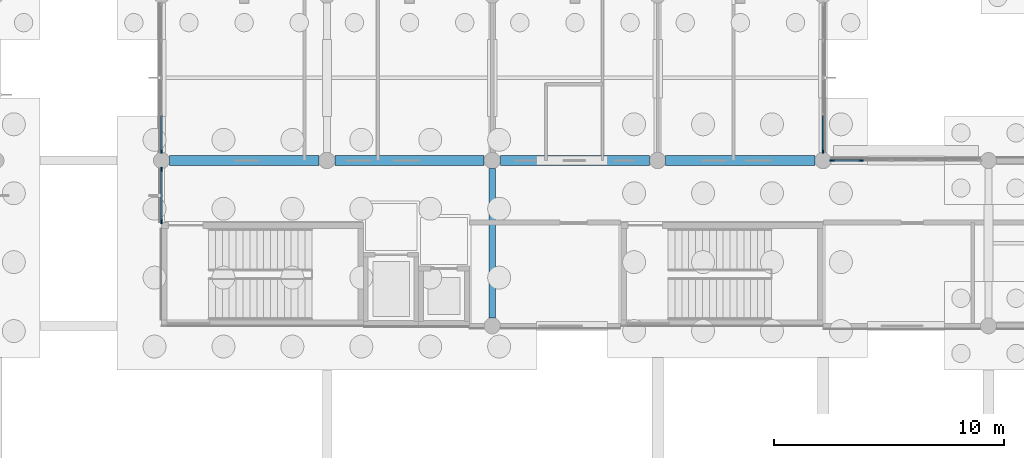
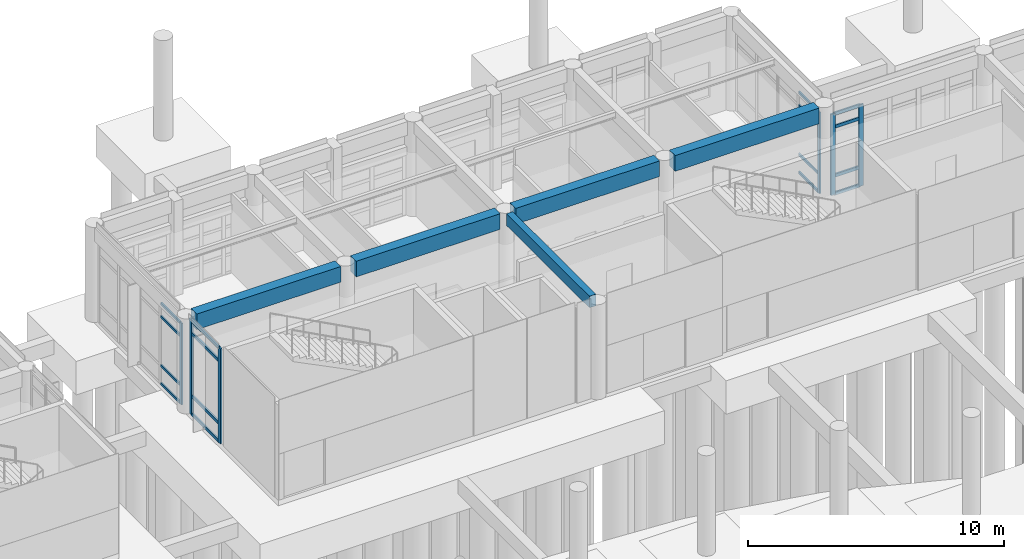
# One storey, part 31 of 103: 22 members, 5 beams, 4 elements without a shape of their own.
"""IFC4 building model written with IfcOpenShell, lengths in metres."""

from ifc_helpers import new_model, si_unit, direction, frame, origin, origin_2d, place, context, subcontext, project, spatial, rectangle, extrude, material, layer, layer_set, material_profile, profile_set, type_object, element, aggregate, save


model = new_model("IFC4")

# Units and contexts
model_context = context("Model", 3, precision=1e-05, world=origin(), true_north=direction((0.0, 1.0)))
body_context = subcontext(model_context, "Body", "Model", "MODEL_VIEW")
ifc_project = project(units=[si_unit("LENGTHUNIT", "METRE"), si_unit("AREAUNIT", "SQUARE_METRE"), si_unit("VOLUMEUNIT", "CUBIC_METRE"), si_unit("PLANEANGLEUNIT", "RADIAN"), si_unit("MASSUNIT", "GRAM", prefix="KILO")], contexts=[model_context])

# Site, building, storey
site_placement = place(None, origin())
site = spatial("IfcSite", under=ifc_project, at=site_placement, CompositionType="ELEMENT")
building_placement = place(site_placement, origin())
building = spatial("IfcBuilding", under=site, at=building_placement, Name="Namkhue Oval Health Centre", CompositionType="ELEMENT")
storey_placement = place(building_placement, origin())
storey = spatial("IfcBuildingStorey", under=building, at=storey_placement, Name="L00", CompositionType="ELEMENT", Elevation=0.0)

# Curtain wall, member
ifc_material_1 = material(Name="Anodised aluminium EN AW-6063 T6", Category="aluminium")
ifc_layer_1 = layer(ifc_material_1, 0.159912109375)
ifc_layer_set_1 = layer_set([ifc_layer_1], Name="Anodised aluminium EN AW-6063 T6")
curtain_wall_type_1 = type_object("IfcCurtainWallType", Name="UNITISED CURTAIN WALL M1500", PredefinedType="NOTDEFINED", material=ifc_layer_set_1)
curtain_wall_1_placement = place(storey_placement, origin())
curtain_wall_1 = element("IfcCurtainWall", 1, at=curtain_wall_1_placement, inside=storey, type_object=curtain_wall_type_1, Name="Volume V3 L00 Unitised Curtain Wall 93", PredefinedType="NOTDEFINED")
ifc_material_profile_1 = material_profile(ifc_material_1, rectangle(XDim=0.06494140625, YDim=0.159912109375, at=origin_2d()), Name="ALU 65x160")
ifc_profile_set_1 = profile_set([ifc_material_profile_1], Name="Anodised aluminium EN AW-6063 T6")
member_type_1 = type_object("IfcMemberType", Name="CURTAIN WALL MULLION 65X160", PredefinedType="MULLION", material=ifc_profile_set_1)
member_1_placement = place(storey_placement, frame((122.39990234375, 97.592529296875, 0.0), z_axis=(0.0, 0.0, 1.0), x_axis=(-1.0, 0.0, 0.0)))
member_1 = element("IfcMember", 2, at=member_1_placement, type_object=member_type_1, Name="CW-03 mullion 1", PredefinedType="MULLION", context=body_context, shape_type="SweptSolid", body=[
    extrude(rectangle(XDim=0.06494140625, YDim=0.159912109375, at=origin_2d()), origin(), (0.0, 0.0, 1.0), 3.885009765625),
])

curtain_wall_2_placement = place(storey_placement, origin())
curtain_wall_2 = element("IfcCurtainWall", 3, at=curtain_wall_2_placement, inside=storey, type_object=curtain_wall_type_1, Name="Volume V3 L00 Unitised Curtain Wall 99", PredefinedType="NOTDEFINED")
member_2_placement = place(storey_placement, frame((93.60009765625, 97.592529296875, 0.0), z_axis=(0.0, 0.0, 1.0), x_axis=(1.0, 0.0, 0.0)))
member_2 = element("IfcMember", 4, at=member_2_placement, type_object=member_type_1, Name="CW-03 mullion 5", PredefinedType="MULLION", context=body_context, shape_type="SweptSolid", body=[
    extrude(rectangle(XDim=0.06494140625, YDim=0.159912109375, at=origin_2d()), origin(), (0.0, 0.0, 1.0), 3.885009765625),
])

# Curtain wall, members
ifc_layer_2 = layer(ifc_material_1, 0.159912109375)
ifc_layer_set_2 = layer_set([ifc_layer_2], Name="Anodised aluminium EN AW-6063 T6")
curtain_wall_type_2 = type_object("IfcCurtainWallType", Name="UNITISED CURTAIN WALL M1350", PredefinedType="NOTDEFINED", material=ifc_layer_set_2)
curtain_wall_3_placement = place(storey_placement, origin())
curtain_wall_3 = element("IfcCurtainWall", 5, at=curtain_wall_3_placement, inside=storey, type_object=curtain_wall_type_2, Name="Volume V3 L00 Unitised Curtain Wall 92", PredefinedType="NOTDEFINED")
ifc_material_profile_2 = material_profile(ifc_material_1, rectangle(XDim=0.074951171875, YDim=0.199951171875, at=origin_2d()), Name="ALU 75x200")
ifc_profile_set_2 = profile_set([ifc_material_profile_2], Name="Anodised aluminium EN AW-6063 T6")
member_type_2 = type_object("IfcMemberType", Name="CURTAIN WALL MULLION 75X200", PredefinedType="MULLION", material=ifc_profile_set_2)
member_3_placement = place(storey_placement, frame((124.055908203125, 97.199951171875, 0.0), z_axis=(0.0, 0.0, 1.0), x_axis=(0.0, -1.0, 0.0)))
member_3 = element("IfcMember", 6, at=member_3_placement, type_object=member_type_2, Name="CW-02 mullion 5", PredefinedType="MULLION", context=body_context, shape_type="SweptSolid", body=[
    extrude(rectangle(XDim=0.074951171875, YDim=0.199951171875, at=origin_2d()), origin(), (0.0, 0.0, 1.0), 3.885009765625),
])
member_4_placement = place(storey_placement, frame((122.797607421875, 97.199951171875, 0.0), z_axis=(0.0, 0.0, 1.0), x_axis=(0.0, -1.0, 0.0)))
member_4 = element("IfcMember", 7, at=member_4_placement, type_object=member_type_2, Name="CW-02 mullion 6", PredefinedType="MULLION", context=body_context, shape_type="SweptSolid", body=[
    extrude(rectangle(XDim=0.074951171875, YDim=0.199951171875, at=origin_2d()), origin(), (0.0, 0.0, 1.0), 3.885009765625),
])

ifc_layer_3 = layer(ifc_material_1, 0.159912109375)
ifc_layer_set_3 = layer_set([ifc_layer_3], Name="Anodised aluminium EN AW-6063 T6")
curtain_wall_type_3 = type_object("IfcCurtainWallType", Name="UNITISED CURTAIN WALL M1600", PredefinedType="NOTDEFINED", material=ifc_layer_set_3)
curtain_wall_4_placement = place(storey_placement, origin())
curtain_wall_4 = element("IfcCurtainWall", 8, at=curtain_wall_4_placement, inside=storey, type_object=curtain_wall_type_3, Name="Volume V3 L00 Unitised Curtain Wall 100", PredefinedType="NOTDEFINED")
member_5_placement = place(storey_placement, frame((93.60009765625, 96.802490234375, 0.0), z_axis=(0.0, 0.0, 1.0), x_axis=(1.0, 0.0, 0.0)))
member_5 = element("IfcMember", 9, at=member_5_placement, type_object=member_type_2, Name="CW-04 mullion 1", PredefinedType="MULLION", context=body_context, shape_type="SweptSolid", body=[
    extrude(rectangle(XDim=0.074951171875, YDim=0.199951171875, at=origin_2d()), origin(), (0.0, 0.0, 1.0), 4.534912109375),
])
member_6_placement = place(storey_placement, frame((93.60009765625, 94.554443359375, 0.0), z_axis=(0.0, 0.0, 1.0), x_axis=(1.0, 0.0, 0.0)))
member_6 = element("IfcMember", 10, at=member_6_placement, type_object=member_type_2, Name="CW-04 mullion 2", PredefinedType="MULLION", context=body_context, shape_type="SweptSolid", body=[
    extrude(rectangle(XDim=0.074951171875, YDim=0.199951171875, at=origin_2d()), origin(), (0.0, 0.0, 1.0), 4.534912109375),
])

# Member
ifc_material_profile_3 = material_profile(ifc_material_1, rectangle(XDim=0.06494140625, YDim=0.1201171875, at=origin_2d()), Name="ALU 65x120")
ifc_profile_set_3 = profile_set([ifc_material_profile_3], Name="Anodised aluminium EN AW-6063 T6")
member_type_3 = type_object("IfcMemberType", Name="CURTAIN WALL TRANSOM 65X120", PredefinedType="USERDEFINED", material=ifc_profile_set_3)
member_7_placement = place(storey_placement, frame((122.39990234375, 97.625, 0.032470703125), z_axis=(0.0, 1.0, 0.0), x_axis=(-1.0, 0.0, 0.0)))
member_7 = element("IfcMember", 11, at=member_7_placement, type_object=member_type_3, Name="CW-03 transom 1.1", ObjectType="TRANSOM", PredefinedType="USERDEFINED", context=body_context, shape_type="SweptSolid", body=[
    extrude(rectangle(XDim=0.06494140625, YDim=0.1201171875, at=origin_2d()), origin(), (0.0, 0.0, 1.0), 1.5224609375),
])

member_8_placement = place(storey_placement, frame((122.39990234375, 97.625, 0.89990234375), z_axis=(0.0, 1.0, 0.0), x_axis=(-1.0, 0.0, 0.0)))
member_8 = element("IfcMember", 12, at=member_8_placement, type_object=member_type_3, Name="CW-03 transom 1.2", ObjectType="TRANSOM", PredefinedType="USERDEFINED", context=body_context, shape_type="SweptSolid", body=[
    extrude(rectangle(XDim=0.06494140625, YDim=0.1201171875, at=origin_2d()), origin(), (0.0, 0.0, 1.0), 1.5224609375),
])

member_9_placement = place(storey_placement, frame((122.39990234375, 97.625, 3.235107421875), z_axis=(0.0, 1.0, 0.0), x_axis=(-1.0, 0.0, 0.0)))
member_9 = element("IfcMember", 13, at=member_9_placement, type_object=member_type_3, Name="CW-03 transom 1.3", ObjectType="TRANSOM", PredefinedType="USERDEFINED", context=body_context, shape_type="SweptSolid", body=[
    extrude(rectangle(XDim=0.06494140625, YDim=0.1201171875, at=origin_2d()), origin(), (0.0, 0.0, 1.0), 1.5224609375),
])

member_10_placement = place(storey_placement, frame((122.39990234375, 97.625, 3.8525390625), z_axis=(0.0, 1.0, 0.0), x_axis=(-1.0, 0.0, 0.0)))
member_10 = element("IfcMember", 14, at=member_10_placement, type_object=member_type_3, Name="CW-03 transom 1.4", ObjectType="TRANSOM", PredefinedType="USERDEFINED", context=body_context, shape_type="SweptSolid", body=[
    extrude(rectangle(XDim=0.06494140625, YDim=0.1201171875, at=origin_2d()), origin(), (0.0, 0.0, 1.0), 1.5224609375),
])

aggregate(curtain_wall_1, [member_1, member_7, member_8, member_9, member_10])

member_11_placement = place(storey_placement, frame((93.60009765625, 99.1474609375, 0.032470703125), z_axis=(0.0, -1.0, 0.0), x_axis=(1.0, 0.0, 0.0)))
member_11 = element("IfcMember", 15, at=member_11_placement, type_object=member_type_3, Name="CW-03 transom 4.1", ObjectType="TRANSOM", PredefinedType="USERDEFINED", context=body_context, shape_type="SweptSolid", body=[
    extrude(rectangle(XDim=0.06494140625, YDim=0.1201171875, at=origin_2d()), origin(), (0.0, 0.0, 1.0), 1.5224609375),
])

member_12_placement = place(storey_placement, frame((93.60009765625, 99.1474609375, 0.89990234375), z_axis=(0.0, -1.0, 0.0), x_axis=(1.0, 0.0, 0.0)))
member_12 = element("IfcMember", 16, at=member_12_placement, type_object=member_type_3, Name="CW-03 transom 4.2", ObjectType="TRANSOM", PredefinedType="USERDEFINED", context=body_context, shape_type="SweptSolid", body=[
    extrude(rectangle(XDim=0.06494140625, YDim=0.1201171875, at=origin_2d()), origin(), (0.0, 0.0, 1.0), 1.5224609375),
])

member_13_placement = place(storey_placement, frame((93.60009765625, 99.1474609375, 3.235107421875), z_axis=(0.0, -1.0, 0.0), x_axis=(1.0, 0.0, 0.0)))
member_13 = element("IfcMember", 17, at=member_13_placement, type_object=member_type_3, Name="CW-03 transom 4.3", ObjectType="TRANSOM", PredefinedType="USERDEFINED", context=body_context, shape_type="SweptSolid", body=[
    extrude(rectangle(XDim=0.06494140625, YDim=0.1201171875, at=origin_2d()), origin(), (0.0, 0.0, 1.0), 1.5224609375),
])

member_14_placement = place(storey_placement, frame((93.60009765625, 99.1474609375, 3.8525390625), z_axis=(0.0, -1.0, 0.0), x_axis=(1.0, 0.0, 0.0)))
member_14 = element("IfcMember", 18, at=member_14_placement, type_object=member_type_3, Name="CW-03 transom 4.4", ObjectType="TRANSOM", PredefinedType="USERDEFINED", context=body_context, shape_type="SweptSolid", body=[
    extrude(rectangle(XDim=0.06494140625, YDim=0.1201171875, at=origin_2d()), origin(), (0.0, 0.0, 1.0), 1.5224609375),
])

aggregate(curtain_wall_2, [member_2, member_11, member_12, member_13, member_14])

ifc_material_profile_4 = material_profile(ifc_material_1, rectangle(XDim=0.074951171875, YDim=0.14990234375, at=origin_2d()), Name="ALU 75x150")
ifc_profile_set_4 = profile_set([ifc_material_profile_4], Name="Anodised aluminium EN AW-6063 T6")
member_type_4 = type_object("IfcMemberType", Name="CURTAIN WALL TRANSOM 75X150", PredefinedType="USERDEFINED", material=ifc_profile_set_4)
member_15_placement = place(storey_placement, frame((124.0185546875, 97.199951171875, 0.03759765625), z_axis=(-1.0, 0.0, 0.0), x_axis=(0.0, -1.0, 0.0)))
member_15 = element("IfcMember", 19, at=member_15_placement, type_object=member_type_4, Name="CW-02 transom 5.1", ObjectType="TRANSOM", PredefinedType="USERDEFINED", context=body_context, shape_type="SweptSolid", body=[
    extrude(rectangle(XDim=0.074951171875, YDim=0.14990234375, at=origin_2d()), origin(), (0.0, 0.0, 1.0), 1.18359375),
])

member_16_placement = place(storey_placement, frame((124.0185546875, 97.199951171875, 0.89990234375), z_axis=(-1.0, 0.0, 0.0), x_axis=(0.0, -1.0, 0.0)))
member_16 = element("IfcMember", 20, at=member_16_placement, type_object=member_type_4, Name="CW-02 transom 5.2", ObjectType="TRANSOM", PredefinedType="USERDEFINED", context=body_context, shape_type="SweptSolid", body=[
    extrude(rectangle(XDim=0.074951171875, YDim=0.14990234375, at=origin_2d()), origin(), (0.0, 0.0, 1.0), 1.18359375),
])

member_17_placement = place(storey_placement, frame((124.0185546875, 97.199951171875, 3.235107421875), z_axis=(-1.0, 0.0, 0.0), x_axis=(0.0, -1.0, 0.0)))
member_17 = element("IfcMember", 21, at=member_17_placement, type_object=member_type_4, Name="CW-02 transom 5.3", ObjectType="TRANSOM", PredefinedType="USERDEFINED", context=body_context, shape_type="SweptSolid", body=[
    extrude(rectangle(XDim=0.074951171875, YDim=0.14990234375, at=origin_2d()), origin(), (0.0, 0.0, 1.0), 1.18359375),
])

member_18_placement = place(storey_placement, frame((124.0185546875, 97.199951171875, 3.847412109375), z_axis=(-1.0, 0.0, 0.0), x_axis=(0.0, -1.0, 0.0)))
member_18 = element("IfcMember", 22, at=member_18_placement, type_object=member_type_4, Name="CW-02 transom 5.4", ObjectType="TRANSOM", PredefinedType="USERDEFINED", context=body_context, shape_type="SweptSolid", body=[
    extrude(rectangle(XDim=0.074951171875, YDim=0.14990234375, at=origin_2d()), origin(), (0.0, 0.0, 1.0), 1.18359375),
])

aggregate(curtain_wall_3, [member_3, member_4, member_15, member_16, member_17, member_18])

member_19_placement = place(storey_placement, frame((93.60009765625, 96.764892578125, 0.03759765625), z_axis=(0.0, -1.0, 0.0), x_axis=(1.0, 0.0, 0.0)))
member_19 = element("IfcMember", 23, at=member_19_placement, type_object=member_type_4, Name="CW-04 transom 1.1", ObjectType="TRANSOM", PredefinedType="USERDEFINED", context=body_context, shape_type="SweptSolid", body=[
    extrude(rectangle(XDim=0.074951171875, YDim=0.14990234375, at=origin_2d()), origin(), (0.0, 0.0, 1.0), 2.1728515625),
])

member_20_placement = place(storey_placement, frame((93.60009765625, 96.764892578125, 0.89990234375), z_axis=(0.0, -1.0, 0.0), x_axis=(1.0, 0.0, 0.0)))
member_20 = element("IfcMember", 24, at=member_20_placement, type_object=member_type_4, Name="CW-04 transom 1.2", ObjectType="TRANSOM", PredefinedType="USERDEFINED", context=body_context, shape_type="SweptSolid", body=[
    extrude(rectangle(XDim=0.074951171875, YDim=0.14990234375, at=origin_2d()), origin(), (0.0, 0.0, 1.0), 2.1728515625),
])

member_21_placement = place(storey_placement, frame((93.60009765625, 96.764892578125, 3.885009765625), z_axis=(0.0, -1.0, 0.0), x_axis=(1.0, 0.0, 0.0)))
member_21 = element("IfcMember", 25, at=member_21_placement, type_object=member_type_4, Name="CW-04 transom 1.3", ObjectType="TRANSOM", PredefinedType="USERDEFINED", context=body_context, shape_type="SweptSolid", body=[
    extrude(rectangle(XDim=0.074951171875, YDim=0.14990234375, at=origin_2d()), origin(), (0.0, 0.0, 1.0), 2.1728515625),
])

member_22_placement = place(storey_placement, frame((93.60009765625, 96.764892578125, 4.49755859375), z_axis=(0.0, -1.0, 0.0), x_axis=(1.0, 0.0, 0.0)))
member_22 = element("IfcMember", 26, at=member_22_placement, type_object=member_type_4, Name="CW-04 transom 1.4", ObjectType="TRANSOM", PredefinedType="USERDEFINED", context=body_context, shape_type="SweptSolid", body=[
    extrude(rectangle(XDim=0.074951171875, YDim=0.14990234375, at=origin_2d()), origin(), (0.0, 0.0, 1.0), 2.1728515625),
])

aggregate(curtain_wall_4, [member_5, member_6, member_19, member_20, member_21, member_22])

# Beams
ifc_material_2 = material(Name="Reinforced concrete C30/37 (TCVN B35)", Category="concrete")
ifc_material_profile_5 = material_profile(ifc_material_2, rectangle(XDim=0.300048828125, YDim=0.550048828125, at=origin_2d()), Name="RC 300x550")
ifc_profile_set_5 = profile_set([ifc_material_profile_5], Name="Reinforced concrete C30/37 (TCVN B35)")
beam_type_1 = type_object("IfcBeamType", Name="FLOOR BEAM RC 300X550", PredefinedType="BEAM", material=ifc_profile_set_5)
beam_placement = place(storey_placement, frame((108.0, 90.35009765625, 4.260009765625), z_axis=(0.0, 1.0, 0.0), x_axis=(-1.0, 0.0, 0.0)))
element("IfcBeam", 27, at=beam_placement, inside=storey, type_object=beam_type_1, Name="Volume V3 L01 Beam 16/N-O", PredefinedType="BEAM", context=body_context, shape_type="SweptSolid", body=[
    extrude(rectangle(XDim=0.300048828125, YDim=0.550048828125, at=origin_2d()), origin(), (0.0, 0.0, 1.0), 6.5),
])
ifc_material_3 = material(Name="Reinforced concrete C35/45 (TCVN B40)", Category="concrete")
ifc_material_profile_6 = material_profile(ifc_material_3, rectangle(XDim=0.449951171875, YDim=0.75, at=origin_2d()), Name="RC 450x750")
ifc_profile_set_6 = profile_set([ifc_material_profile_6], Name="Reinforced concrete C35/45 (TCVN B40)")
beam_type_2 = type_object("IfcBeamType", Name="PRIMARY GIRDER RC 450X750", PredefinedType="USERDEFINED", material=ifc_profile_set_6)
for number, where, z_axis, x_axis, name in (
    (28, (93.949951171875, 97.199951171875, 4.159912109375), (1.0, 0.0, 0.0), (0.0, 1.0, 0.0), "Volume V3 L01 Girder O/14-15"),
    (29, (101.14990234375, 97.199951171875, 4.159912109375), (1.0, 0.0, 0.0), (0.0, 1.0, 0.0), "Volume V3 L01 Girder O/15-16"),
    (30, (108.35009765625, 97.199951171875, 4.159912109375), (1.0, 0.0, 0.0), (0.0, 1.0, 0.0), "Volume V3 L01 Girder O/16-17"),
    (31, (115.550048828125, 97.199951171875, 4.159912109375), (1.0, 0.0, 0.0), (0.0, 1.0, 0.0), "Volume V3 L01 Girder O/17-18"),
):
    element("IfcBeam", number, at=place(storey_placement, frame(where, z_axis=z_axis, x_axis=x_axis)), inside=storey, type_object=beam_type_2, Name=name, ObjectType="GIRDER", PredefinedType="USERDEFINED", context=body_context, shape_type="SweptSolid", body=[
        extrude(rectangle(XDim=0.449951171875, YDim=0.75, at=origin_2d()), origin(), (0.0, 0.0, 1.0), 6.5),
    ])

save(model, "model.ifc")
